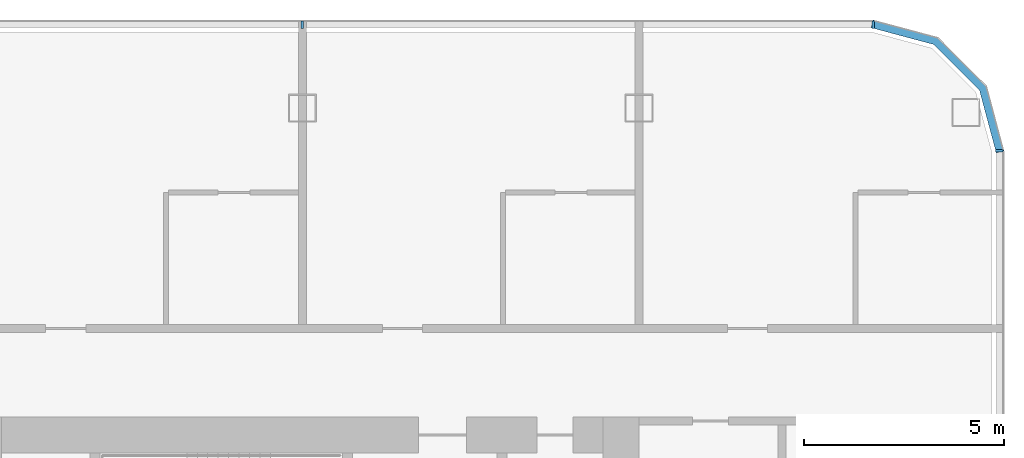
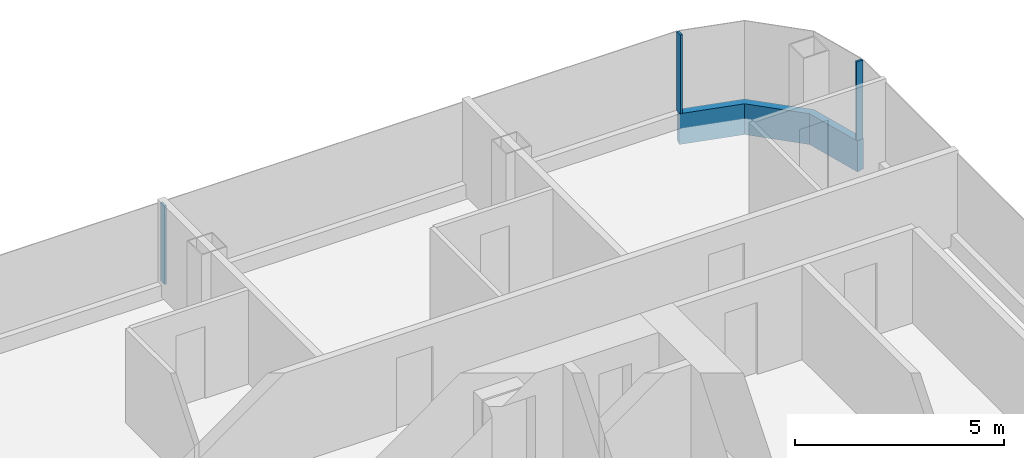
# One storey, part 10 of 26: 4 members, 3 elements without a shape of their own.
"""IFC4 building model written with IfcOpenShell, lengths in metres."""

import ifcopenshell
import ifcopenshell.guid

model = None  # the IFC model being written
_history = None  # IfcOwnerHistory: only IFC2X3 demands one
_inside = {}  # id of a spatial element -> (the spatial element, [elements in it])
_under = {}  # id of a project, library or spatial element -> (it, [spatial elements below it])
_declared = {}  # id of a project -> (the project, [libraries it declares])
_typed = {}  # id of a type object -> (the type object, [elements of that type])
_made_of = {}  # id of a material, layer set ... -> (it, [elements and type objects made of it])


def new_model(schema):
    """Start an empty IFC model of exactly this schema.

    Asked for "IFC4X3", IfcOpenShell would pick the latest addendum, in which some entities
    have other attributes; the version numbers below select the first issue.
    IFC2X3 requires an IfcOwnerHistory on every rooted entity: one is made here for all.
    """
    global model, _history
    if schema == "IFC4X3":
        model = ifcopenshell.file(schema_version=(4, 3, 0, 0))
    else:
        model = ifcopenshell.file(schema=schema)
    _inside.clear()
    _under.clear()
    _declared.clear()
    _typed.clear()
    _made_of.clear()
    _history = None
    if model.schema == "IFC2X3":
        org = make("IfcOrganization", Name="unknown")
        user = make(
            "IfcPersonAndOrganization",
            ThePerson=make("IfcPerson", FamilyName="unknown"),
            TheOrganization=org,
        )
        app = make(
            "IfcApplication",
            ApplicationDeveloper=org,
            Version="unknown",
            ApplicationFullName="unknown",
            ApplicationIdentifier="unknown",
        )
        _history = make(
            "IfcOwnerHistory",
            OwningUser=user,
            OwningApplication=app,
            ChangeAction="ADDED",
            CreationDate=0,
        )
    return model


def make(cls, **values):
    """One entity of the class cls with the attributes given. An attribute that is None is left unset."""
    return model.create_entity(
        cls, **{name: value for name, value in values.items() if value is not None}
    )


def rooted(cls, **values):
    """An entity with a GlobalId (a new one), such as an element, a storey or a relation."""
    return make(cls, GlobalId=ifcopenshell.guid.new(), OwnerHistory=_history, **values)


def si_unit(unit_type, name, prefix=None):
    """IfcSIUnit, for example si_unit("LENGTHUNIT", "METRE", prefix="MILLI")."""
    return make("IfcSIUnit", UnitType=unit_type, Prefix=prefix, Name=name)


def assignment(units):
    """IfcUnitAssignment: the units of a project."""
    return None if units is None else make("IfcUnitAssignment", Units=units)


def point(xyz):
    """IfcCartesianPoint."""
    return None if xyz is None else make("IfcCartesianPoint", Coordinates=xyz)


def direction(xyz):
    """IfcDirection."""
    return None if xyz is None else make("IfcDirection", DirectionRatios=xyz)


def frame(location, z_axis=None, x_axis=None):
    """IfcAxis2Placement3D, a coordinate frame: its origin and axes. An axis left out is left unset."""
    return make(
        "IfcAxis2Placement3D",
        Location=point(location),
        Axis=direction(z_axis),
        RefDirection=direction(x_axis),
    )


def frame_2d(location, x_axis=None):
    """IfcAxis2Placement2D, a coordinate frame in the plane: its origin and x axis."""
    return make(
        "IfcAxis2Placement2D", Location=point(location), RefDirection=direction(x_axis)
    )


def origin():
    """The frame at (0, 0, 0) with its axes left unset."""
    return frame((0.0, 0.0, 0.0))


def origin_2d():
    """The frame at (0, 0) in the plane with its x axis left unset."""
    return frame_2d((0.0, 0.0))


def place(relative_to, where):
    """IfcLocalPlacement: puts the frame where relative to a parent placement (None: the world)."""
    return make(
        "IfcLocalPlacement", PlacementRelTo=relative_to, RelativePlacement=where
    )


def context(
    kind, dimensions, precision=None, world=None, true_north=None, identifier=None
):
    """IfcGeometricRepresentationContext, for example the 3D "Model" context."""
    return make(
        "IfcGeometricRepresentationContext",
        ContextIdentifier=identifier,
        ContextType=kind,
        CoordinateSpaceDimension=dimensions,
        Precision=precision,
        WorldCoordinateSystem=world,
        TrueNorth=true_north,
    )


def subcontext(parent, identifier, kind, view, scale=None):
    """IfcGeometricRepresentationSubContext, for example "Body" below "Model"."""
    return make(
        "IfcGeometricRepresentationSubContext",
        ContextIdentifier=identifier,
        ContextType=kind,
        ParentContext=parent,
        TargetScale=scale,
        TargetView=view,
    )


def project(units=None, contexts=None):
    """IfcProject with its units and contexts."""
    return rooted(
        "IfcProject",
        Name="project",
        RepresentationContexts=contexts,
        UnitsInContext=assignment(units),
    )


def spatial(cls, under=None, at=None, **own):
    """A site, building, storey or space (cls), placed at a placement, below another one or the project."""
    s = rooted(cls, ObjectPlacement=at, **own)
    if under is not None:
        _under.setdefault(under.id(), (under, []))[1].append(s)
    return s


def polyline(points):
    """IfcPolyline through the points."""
    return make("IfcPolyline", Points=[point(p) for p in points])


def profile(cls, at=None, kind="AREA", **sizes):
    """A parametric profile (cls). Its sizes go by their IFC names, for example OverallWidth=200.0."""
    return make(cls, ProfileType=kind, Position=at, **sizes)


def rectangle(**sizes):
    """IfcRectangleProfileDef."""
    return profile("IfcRectangleProfileDef", **sizes)


def outline(outer, holes=None, kind="AREA"):
    """IfcArbitraryClosedProfileDef: a profile drawn as a closed curve; with holes, ...WithVoids."""
    if holes is None:
        return make("IfcArbitraryClosedProfileDef", ProfileType=kind, OuterCurve=outer)
    return make(
        "IfcArbitraryProfileDefWithVoids",
        ProfileType=kind,
        OuterCurve=outer,
        InnerCurves=holes,
    )


def extrude(swept, where, along, depth):
    """IfcExtrudedAreaSolid: the profile swept, set in the frame where, extruded along a direction by depth."""
    return make(
        "IfcExtrudedAreaSolid",
        SweptArea=swept,
        Position=where,
        ExtrudedDirection=direction(along),
        Depth=depth,
    )


def shape(context_of_items, identifier, shape_type, items):
    """IfcShapeRepresentation: the items that make up one representation, for example the "Body"."""
    return make(
        "IfcShapeRepresentation",
        ContextOfItems=context_of_items,
        RepresentationIdentifier=identifier,
        RepresentationType=shape_type,
        Items=items,
    )


def material(Name=None, Category=None):
    """IfcMaterial."""
    return make("IfcMaterial", Name=Name, Category=Category)


def layer(
    of_material, thickness, ventilated=None, Name=None, Category=None, Priority=None
):
    """IfcMaterialLayer: one layer of a wall or slab, of a material (None: an air gap)."""
    return make(
        "IfcMaterialLayer",
        Material=of_material,
        LayerThickness=thickness,
        IsVentilated=ventilated,
        Name=Name,
        Category=Category,
        Priority=Priority,
    )


def layer_set(layers, Name=None):
    """IfcMaterialLayerSet."""
    return make("IfcMaterialLayerSet", MaterialLayers=layers, LayerSetName=Name)


def material_profile(
    of_material, cross_section, Name=None, Category=None, Priority=None
):
    """IfcMaterialProfile: a cross section and its material."""
    return make(
        "IfcMaterialProfile",
        Name=Name,
        Material=of_material,
        Profile=cross_section,
        Priority=Priority,
        Category=Category,
    )


def profile_set(profiles, Name=None, composite=None):
    """IfcMaterialProfileSet."""
    return make(
        "IfcMaterialProfileSet",
        Name=Name,
        MaterialProfiles=profiles,
        CompositeProfile=composite,
    )


def made_of(thing, what):
    """Note that an element or type object is made of a material, layer set ...; save() writes the relation."""
    if what is not None:
        _made_of.setdefault(what.id(), (what, []))[1].append(thing)
    return thing


def type_object(cls, material=None, **own):
    """A type object (cls), such as IfcWallType, which elements share."""
    return made_of(rooted(cls, **own), material)


def element(
    cls,
    number,
    at=None,
    inside=None,
    cuts=None,
    type_object=None,
    material=None,
    context=None,
    identifier="Body",
    shape_type=None,
    held_by="IfcProductDefinitionShape",
    body=None,
    shapes=None,
    **own,
):
    """One element of the class cls, such as IfcWall. Its Tag is "e" and its number.

    at: its placement. inside: the storey or other place that contains it. cuts: it is an
    opening in that element (IfcRelVoidsElement). A single representation is given by context,
    identifier, shape_type and body (its items); several are given by shapes. held_by: the class
    of the entity that holds the representations. save() writes the other relations.
    """
    e = rooted(cls, Tag="e%d" % number, ObjectPlacement=at, **own)
    if body is not None:
        shapes = [shape(context, identifier, shape_type, body)]
    if shapes is not None:
        e.Representation = make(held_by, Representations=shapes)
    if inside is not None:
        _inside.setdefault(inside.id(), (inside, []))[1].append(e)
    if cuts is not None:
        rooted(
            "IfcRelVoidsElement", RelatingBuildingElement=cuts, RelatedOpeningElement=e
        )
    if type_object is not None:
        _typed.setdefault(type_object.id(), (type_object, []))[1].append(e)
    return made_of(e, material)


def aggregate(whole, parts):
    """IfcRelAggregates: a whole, such as a stair, and the parts it consists of."""
    return rooted("IfcRelAggregates", RelatingObject=whole, RelatedObjects=parts)


def save(model, path):
    """Write the relations noted so far, then the file.

    IfcRelAggregates (storeys below a building ...), IfcRelContainedInSpatialStructure (elements
    in a storey), IfcRelDefinesByType, IfcRelAssociatesMaterial and IfcRelDeclares: one each for
    every whole, place, type object, material and project.
    """
    for whole, parts in _under.values():
        aggregate(whole, parts)
    for where, things in _inside.values():
        rooted(
            "IfcRelContainedInSpatialStructure",
            RelatedElements=things,
            RelatingStructure=where,
        )
    for kind, things in _typed.values():
        rooted("IfcRelDefinesByType", RelatedObjects=things, RelatingType=kind)
    for what, things in _made_of.values():
        rooted("IfcRelAssociatesMaterial", RelatedObjects=things, RelatingMaterial=what)
    for by, libraries in _declared.values():
        rooted("IfcRelDeclares", RelatingContext=by, RelatedDefinitions=libraries)
    model.write(path)


model = new_model("IFC4")

# Units and contexts
model_context = context("Model", 3, precision=1e-05, world=origin(), true_north=direction((0.0, 1.0)))
body_context = subcontext(model_context, "Body", "Model", "MODEL_VIEW")
ifc_project = project(units=[si_unit("LENGTHUNIT", "METRE"), si_unit("AREAUNIT", "SQUARE_METRE"), si_unit("VOLUMEUNIT", "CUBIC_METRE"), si_unit("PLANEANGLEUNIT", "RADIAN"), si_unit("MASSUNIT", "GRAM", prefix="KILO")], contexts=[model_context])

# Site, building, storey
site_placement = place(None, origin())
site = spatial("IfcSite", under=ifc_project, at=site_placement, CompositionType="ELEMENT")
building_placement = place(site_placement, origin())
building = spatial("IfcBuilding", under=site, at=building_placement, Name="Hakoniwa Tower and Hamabe Station Hall", CompositionType="ELEMENT")
storey_placement = place(building_placement, frame((0.0, 0.0, 131.0)))
storey = spatial("IfcBuildingStorey", under=building, at=storey_placement, Name="L36", CompositionType="ELEMENT", Elevation=131.0)

# Curtain wall, member
ifc_material_1 = material(Name="Dark low-e laminated glass", Category="glass")
ifc_layer = layer(ifc_material_1, 0.199951171875)
ifc_layer_set = layer_set([ifc_layer], Name="CW-1 UNITISED GUEST")
curtain_wall_type = type_object("IfcCurtainWallType", Name="CW-1 UNITISED GUEST", PredefinedType="NOTDEFINED", material=ifc_layer_set)
curtain_wall_1_placement = place(storey_placement, origin())
curtain_wall_1 = element("IfcCurtainWall", 1, at=curtain_wall_1_placement, inside=storey, type_object=curtain_wall_type, Name="CW-1 curtain wall", PredefinedType="NOTDEFINED")
ifc_material_2 = material(Name="Aluminium 6063-T5 black anodised", Category="aluminium")
ifc_material_profile_1 = material_profile(ifc_material_2, rectangle(XDim=0.199951171875, YDim=0.89990234375, at=origin_2d()), Name="CW SLAB-EDGE BAND 900X200")
ifc_profile_set_1 = profile_set([ifc_material_profile_1], Name="Aluminium 6063-T5 black anodised")
member_type_1 = type_object("IfcMemberType", Name="CW SLAB-EDGE BAND 900X200", PredefinedType="USERDEFINED", material=ifc_profile_set_1)
member_1_placement = place(storey_placement, frame((0.0, 0.0, -0.550048828125)))
member_1 = element("IfcMember", 2, at=member_1_placement, type_object=member_type_1, Name="CW-1 transom", ObjectType="TRANSOM", PredefinedType="USERDEFINED", context=body_context, shape_type="SweptSolid", body=[
    extrude(outline(polyline([(42.699951171875, 15.03955078125), (42.26708984375, 16.6552734375), (41.05517578125, 17.866943359375), (39.439453125, 18.300048828125), (39.3876953125, 18.10693359375), (40.95166015625, 17.687744140625), (42.087646484375, 16.5517578125), (42.5068359375, 14.98779296875), (42.699951171875, 15.03955078125)])), origin(), (0.0, 0.0, 1.0), 0.900146484375),
])
aggregate(curtain_wall_1, [member_1])

curtain_wall_2_placement = place(storey_placement, origin())
curtain_wall_2 = element("IfcCurtainWall", 3, at=curtain_wall_2_placement, inside=storey, type_object=curtain_wall_type, Name="CW-1 curtain wall", PredefinedType="NOTDEFINED")
ifc_material_3 = material(Name="Aluminium 6063-T5 black anodised", Category="aluminium")
ifc_material_profile_2 = material_profile(ifc_material_3, rectangle(XDim=0.06005859375, YDim=0.179931640625, at=origin_2d()), Name="CW-1 MULLION 60X180")
ifc_profile_set_2 = profile_set([ifc_material_profile_2], Name="Aluminium 6063-T5 black anodised")
member_type_2 = type_object("IfcMemberType", Name="CW-1 MULLION 60X180", PredefinedType="MULLION", material=ifc_profile_set_2)
member_2_placement = place(storey_placement, frame((42.58203125, 15.03955078125, 0.35009765625), z_axis=(0.0, 0.0, 1.0), x_axis=(0.0, 1.0, 0.0)))
member_2 = element("IfcMember", 4, at=member_2_placement, type_object=member_type_2, Name="CW-1 mullion", PredefinedType="MULLION", context=body_context, shape_type="SweptSolid", body=[
    extrude(rectangle(XDim=0.06005859375, YDim=0.179931640625, at=origin_2d()), origin(), (0.0, 0.0, 1.0), 2.2998046875),
])
aggregate(curtain_wall_2, [member_2])

# Curtain wall, members
curtain_wall_3_placement = place(storey_placement, origin())
curtain_wall_3 = element("IfcCurtainWall", 5, at=curtain_wall_3_placement, inside=storey, type_object=curtain_wall_type, Name="CW-1 curtain wall", PredefinedType="NOTDEFINED")
member_3_placement = place(storey_placement, frame((39.439453125, 18.181884765625, 0.35009765625), z_axis=(0.0, 0.0, 1.0), x_axis=(-1.0, 0.0, 0.0)))
member_3 = element("IfcMember", 6, at=member_3_placement, type_object=member_type_2, Name="CW-1 mullion", PredefinedType="MULLION", context=body_context, shape_type="SweptSolid", body=[
    extrude(rectangle(XDim=0.06005859375, YDim=0.179931640625, at=origin_2d()), origin(), (0.0, 0.0, 1.0), 2.2998046875),
])
member_4_placement = place(storey_placement, frame((25.199951171875, 18.181884765625, 0.35009765625), z_axis=(0.0, 0.0, 1.0), x_axis=(-1.0, 0.0, 0.0)))
member_4 = element("IfcMember", 7, at=member_4_placement, type_object=member_type_2, Name="CW-1 mullion", PredefinedType="MULLION", context=body_context, shape_type="SweptSolid", body=[
    extrude(rectangle(XDim=0.06005859375, YDim=0.179931640625, at=origin_2d()), origin(), (0.0, 0.0, 1.0), 2.2998046875),
])
aggregate(curtain_wall_3, [member_3, member_4])

save(model, "model.ifc")
